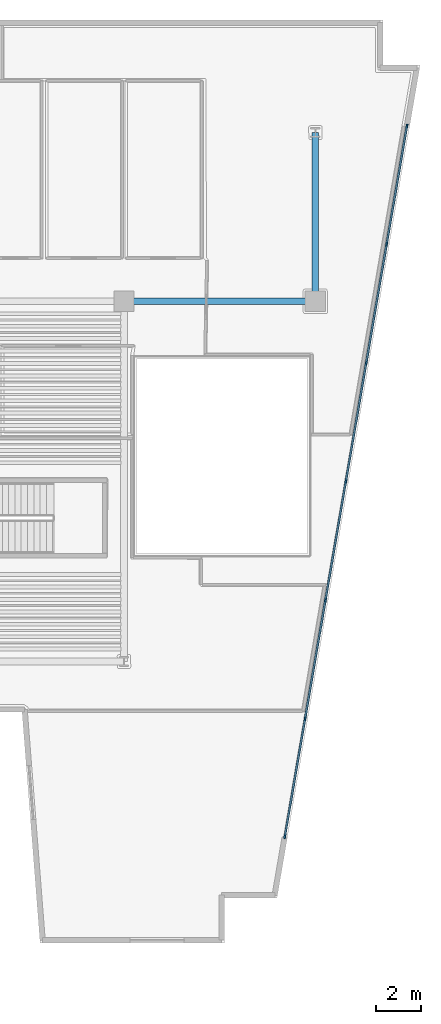
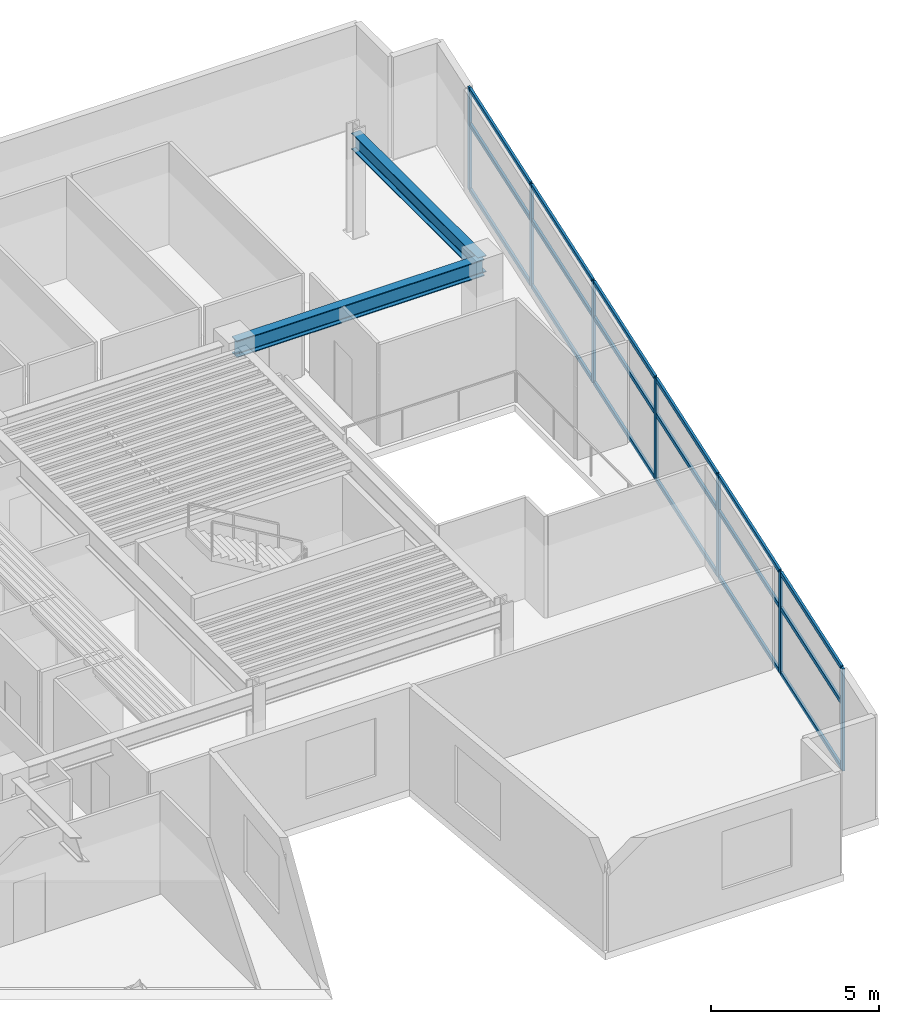
# One storey, part 2 of 9: 25 members, 2 beams, 1 element without a shape of its own.
"""IFC4 building model written with IfcOpenShell, lengths in metres."""

from ifc_helpers import new_model, si_unit, direction, frame, origin, origin_2d, place, context, subcontext, project, spatial, rectangle, i_section, extrude, material, layer, layer_set, material_profile, profile_set, type_object, element, aggregate, save


model = new_model("IFC4")

# Units and contexts
model_context = context("Model", 3, precision=1e-05, world=origin(), true_north=direction((0.0, 1.0)))
body_context = subcontext(model_context, "Body", "Model", "MODEL_VIEW")
ifc_project = project(units=[si_unit("LENGTHUNIT", "METRE"), si_unit("AREAUNIT", "SQUARE_METRE"), si_unit("VOLUMEUNIT", "CUBIC_METRE"), si_unit("PLANEANGLEUNIT", "RADIAN"), si_unit("MASSUNIT", "GRAM", prefix="KILO")], contexts=[model_context])

# Site, building, storey
site_placement = place(None, origin())
site = spatial("IfcSite", under=ifc_project, at=site_placement, CompositionType="ELEMENT")
building_placement = place(site_placement, origin())
building = spatial("IfcBuilding", under=site, at=building_placement, Name="Caeloran Harvest Quay", CompositionType="ELEMENT")
storey_placement = place(building_placement, frame((0.0, 0.0, 207.449951171875)))
storey = spatial("IfcBuildingStorey", under=building, at=storey_placement, Name="L49", CompositionType="ELEMENT", Elevation=207.449951171875)

# Beams
ifc_material_1 = material(Name="Steel S355J2", Category="steel")
ifc_material_profile_1 = material_profile(ifc_material_1, i_section(OverallWidth=0.300048828125, OverallDepth=0.60009765625, WebThickness=0.015380859375, FlangeThickness=0.030029296875, FilletRadius=0.027099609375, at=origin_2d()), Name="HE 600 B")
ifc_profile_set_1 = profile_set([ifc_material_profile_1], Name="Steel S355J2")
beam_type = type_object("IfcBeamType", Name="BM-PG-3-HE_600_B", PredefinedType="BEAM", material=ifc_profile_set_1)
beam_1_placement = place(storey_placement, frame((34.0, 31.0, 3.400146484375), z_axis=(1.0, 0.0, 0.0), x_axis=(0.0, 1.0, 0.0)))
element("IfcBeam", 1, at=beam_1_placement, inside=storey, type_object=beam_type, Name="L49 Primary East-West Girder Y=31.0", PredefinedType="BEAM", context=body_context, shape_type="SweptSolid", body=[
    extrude(i_section(OverallWidth=0.300048828125, OverallDepth=0.60009765625, WebThickness=0.015380859375, FlangeThickness=0.030029296875, FilletRadius=0.027099609375, at=origin_2d()), origin(), (0.0, 0.0, 1.0), 8.5),
])
beam_2_placement = place(storey_placement, frame((42.5, 31.0, 3.400146484375), z_axis=(0.0, 1.0, 0.0), x_axis=(-1.0, 0.0, 0.0)))
element("IfcBeam", 2, at=beam_2_placement, inside=storey, type_object=beam_type, Name="L49 Primary North-South Girder X=42.5", PredefinedType="BEAM", context=body_context, shape_type="SweptSolid", body=[
    extrude(i_section(OverallWidth=0.300048828125, OverallDepth=0.60009765625, WebThickness=0.015380859375, FlangeThickness=0.030029296875, FilletRadius=0.027099609375, at=origin_2d()), origin(), (0.0, 0.0, 1.0), 7.5),
])

# Curtain wall, members
ifc_material_2 = material(Name="Aluminium 6063-T6 and Low-E Glazing", Category="aluminium")
ifc_layer = layer(ifc_material_2, 0.2099609375, Name="Aluminium 6063-T6 and Low-E Glazing")
ifc_layer_set = layer_set([ifc_layer], Name="Aluminium 6063-T6 and Low-E Glazing")
curtain_wall_type = type_object("IfcCurtainWallType", Name="CW-SYS-CW-4", PredefinedType="USERDEFINED", material=ifc_layer_set)
curtain_wall_placement = place(storey_placement, origin())
curtain_wall = element("IfcCurtainWall", 3, at=curtain_wall_placement, inside=storey, type_object=curtain_wall_type, Name="L49 Unitised Curtain Wall CW-4 Run 9", ObjectType="CURTAIN_WALL", PredefinedType="USERDEFINED")
ifc_material_3 = material(Name="Aluminium 6063-T6", Category="aluminium")
ifc_material_profile_2 = material_profile(ifc_material_3, rectangle(XDim=0.080078125, YDim=0.179931640625, at=origin_2d()), Name="CW-MULLION-180")
ifc_profile_set_2 = profile_set([ifc_material_profile_2], Name="Aluminium 6063-T6")
member_type_1 = type_object("IfcMemberType", Name="CW-MULLION-180", PredefinedType="MULLION", material=ifc_profile_set_2)
member_1_placement = place(storey_placement, frame((46.566650390625, 38.778076171875, 0.0), z_axis=(0.0, 0.0, 1.0), x_axis=(0.985548890759, -0.169391215605, 0.0)))
member_1 = element("IfcMember", 4, at=member_1_placement, type_object=member_type_1, Name="CW-4 mullion 1", PredefinedType="MULLION", context=body_context, shape_type="SweptSolid", body=[
    extrude(rectangle(XDim=0.080078125, YDim=0.179931640625, at=origin_2d()), origin(), (0.0, 0.0, 1.0), 3.699951171875),
])
member_2_placement = place(storey_placement, frame((45.667236328125, 33.545166015625, 0.0), z_axis=(0.0, 0.0, 1.0), x_axis=(0.985548890759, -0.169391215605, 0.0)))
member_2 = element("IfcMember", 5, at=member_2_placement, type_object=member_type_1, Name="CW-4 mullion 2", PredefinedType="MULLION", context=body_context, shape_type="SweptSolid", body=[
    extrude(rectangle(XDim=0.080078125, YDim=0.179931640625, at=origin_2d()), origin(), (0.0, 0.0, 1.0), 3.699951171875),
])
member_3_placement = place(storey_placement, frame((44.760986328125, 28.2724609375, 0.0), z_axis=(0.0, 0.0, 1.0), x_axis=(0.985548890759, -0.169391215605, 0.0)))
member_3 = element("IfcMember", 6, at=member_3_placement, type_object=member_type_1, Name="CW-4 mullion 3", PredefinedType="MULLION", context=body_context, shape_type="SweptSolid", body=[
    extrude(rectangle(XDim=0.080078125, YDim=0.179931640625, at=origin_2d()), origin(), (0.0, 0.0, 1.0), 3.699951171875),
])
member_4_placement = place(storey_placement, frame((43.854736328125, 23.0, 0.0), z_axis=(0.0, 0.0, 1.0), x_axis=(0.985548890759, -0.169391215605, 0.0)))
member_4 = element("IfcMember", 7, at=member_4_placement, type_object=member_type_1, Name="CW-4 mullion 4", PredefinedType="MULLION", context=body_context, shape_type="SweptSolid", body=[
    extrude(rectangle(XDim=0.080078125, YDim=0.179931640625, at=origin_2d()), origin(), (0.0, 0.0, 1.0), 3.699951171875),
])
member_5_placement = place(storey_placement, frame((42.948486328125, 17.7275390625, 0.0), z_axis=(0.0, 0.0, 1.0), x_axis=(0.985548890759, -0.169391215605, 0.0)))
member_5 = element("IfcMember", 8, at=member_5_placement, type_object=member_type_1, Name="CW-4 mullion 5", PredefinedType="MULLION", context=body_context, shape_type="SweptSolid", body=[
    extrude(rectangle(XDim=0.080078125, YDim=0.179931640625, at=origin_2d()), origin(), (0.0, 0.0, 1.0), 3.699951171875),
])
member_6_placement = place(storey_placement, frame((42.042236328125, 12.454833984375, 0.0), z_axis=(0.0, 0.0, 1.0), x_axis=(0.985548890759, -0.169391215605, 0.0)))
member_6 = element("IfcMember", 9, at=member_6_placement, type_object=member_type_1, Name="CW-4 mullion 6", PredefinedType="MULLION", context=body_context, shape_type="SweptSolid", body=[
    extrude(rectangle(XDim=0.080078125, YDim=0.179931640625, at=origin_2d()), origin(), (0.0, 0.0, 1.0), 3.699951171875),
])
member_7_placement = place(storey_placement, frame((41.142822265625, 7.221923828125, 0.0), z_axis=(0.0, 0.0, 1.0), x_axis=(0.985548890759, -0.169391215605, 0.0)))
member_7 = element("IfcMember", 10, at=member_7_placement, type_object=member_type_1, Name="CW-4 mullion 7", PredefinedType="MULLION", context=body_context, shape_type="SweptSolid", body=[
    extrude(rectangle(XDim=0.080078125, YDim=0.179931640625, at=origin_2d()), origin(), (0.0, 0.0, 1.0), 3.699951171875),
])
ifc_material_profile_3 = material_profile(ifc_material_3, rectangle(XDim=0.080078125, YDim=0.14990234375, at=origin_2d()), Name="CW-TRANSOM-150")
ifc_profile_set_3 = profile_set([ifc_material_profile_3], Name="Aluminium 6063-T6")
member_type_2 = type_object("IfcMemberType", Name="CW-TRANSOM-150", PredefinedType="USERDEFINED", material=ifc_profile_set_3)
member_8_placement = place(storey_placement, frame((46.559814453125, 38.73876953125, 0.0400390625), z_axis=(-0.169362876348, -0.985553761149, 0.0), x_axis=(0.985553761149, -0.169362876348, 0.0)))
member_8 = element("IfcMember", 11, at=member_8_placement, type_object=member_type_2, Name="CW-4 transom 1.1", ObjectType="TRANSOM", PredefinedType="USERDEFINED", context=body_context, shape_type="SweptSolid", body=[
    extrude(rectangle(XDim=0.080078125, YDim=0.14990234375, at=origin_2d()), origin(), (0.0, 0.0, 1.0), 5.229736328125),
])
member_9_placement = place(storey_placement, frame((46.559814453125, 38.73876953125, 2.400146484375), z_axis=(-0.169362876348, -0.985553761149, 0.0), x_axis=(0.985553761149, -0.169362876348, 0.0)))
member_9 = element("IfcMember", 12, at=member_9_placement, type_object=member_type_2, Name="CW-4 transom 1.2", ObjectType="TRANSOM", PredefinedType="USERDEFINED", context=body_context, shape_type="SweptSolid", body=[
    extrude(rectangle(XDim=0.080078125, YDim=0.14990234375, at=origin_2d()), origin(), (0.0, 0.0, 1.0), 5.229736328125),
])
member_10_placement = place(storey_placement, frame((46.559814453125, 38.73876953125, 3.66015625), z_axis=(-0.169362876348, -0.985553761149, 0.0), x_axis=(0.985553761149, -0.169362876348, 0.0)))
member_10 = element("IfcMember", 13, at=member_10_placement, type_object=member_type_2, Name="CW-4 transom 1.3", ObjectType="TRANSOM", PredefinedType="USERDEFINED", context=body_context, shape_type="SweptSolid", body=[
    extrude(rectangle(XDim=0.080078125, YDim=0.14990234375, at=origin_2d()), origin(), (0.0, 0.0, 1.0), 5.229736328125),
])
member_11_placement = place(storey_placement, frame((45.660400390625, 33.505615234375, 0.0400390625), z_axis=(-0.169377856385, -0.985551186782, 0.0), x_axis=(0.985551186782, -0.169377856385, 0.0)))
member_11 = element("IfcMember", 14, at=member_11_placement, type_object=member_type_2, Name="CW-4 transom 2.1", ObjectType="TRANSOM", PredefinedType="USERDEFINED", context=body_context, shape_type="SweptSolid", body=[
    extrude(rectangle(XDim=0.080078125, YDim=0.14990234375, at=origin_2d()), origin(), (0.0, 0.0, 1.0), 5.269775390625),
])
member_12_placement = place(storey_placement, frame((45.660400390625, 33.505615234375, 2.400146484375), z_axis=(-0.169377856385, -0.985551186782, 0.0), x_axis=(0.985551186782, -0.169377856385, 0.0)))
member_12 = element("IfcMember", 15, at=member_12_placement, type_object=member_type_2, Name="CW-4 transom 2.2", ObjectType="TRANSOM", PredefinedType="USERDEFINED", context=body_context, shape_type="SweptSolid", body=[
    extrude(rectangle(XDim=0.080078125, YDim=0.14990234375, at=origin_2d()), origin(), (0.0, 0.0, 1.0), 5.269775390625),
])
member_13_placement = place(storey_placement, frame((45.660400390625, 33.505615234375, 3.66015625), z_axis=(-0.169377856385, -0.985551186782, 0.0), x_axis=(0.985551186782, -0.169377856385, 0.0)))
member_13 = element("IfcMember", 16, at=member_13_placement, type_object=member_type_2, Name="CW-4 transom 2.3", ObjectType="TRANSOM", PredefinedType="USERDEFINED", context=body_context, shape_type="SweptSolid", body=[
    extrude(rectangle(XDim=0.080078125, YDim=0.14990234375, at=origin_2d()), origin(), (0.0, 0.0, 1.0), 5.269775390625),
])
member_14_placement = place(storey_placement, frame((44.754150390625, 28.233154296875, 0.0400390625), z_axis=(-0.169370123052, -0.985552515809, 0.0), x_axis=(0.985552515809, -0.169370123052, 0.0)))
member_14 = element("IfcMember", 17, at=member_14_placement, type_object=member_type_2, Name="CW-4 transom 3.1", ObjectType="TRANSOM", PredefinedType="USERDEFINED", context=body_context, shape_type="SweptSolid", body=[
    extrude(rectangle(XDim=0.080078125, YDim=0.14990234375, at=origin_2d()), origin(), (0.0, 0.0, 1.0), 5.27001953125),
])
member_15_placement = place(storey_placement, frame((44.754150390625, 28.233154296875, 2.400146484375), z_axis=(-0.169370123052, -0.985552515809, 0.0), x_axis=(0.985552515809, -0.169370123052, 0.0)))
member_15 = element("IfcMember", 18, at=member_15_placement, type_object=member_type_2, Name="CW-4 transom 3.2", ObjectType="TRANSOM", PredefinedType="USERDEFINED", context=body_context, shape_type="SweptSolid", body=[
    extrude(rectangle(XDim=0.080078125, YDim=0.14990234375, at=origin_2d()), origin(), (0.0, 0.0, 1.0), 5.27001953125),
])
member_16_placement = place(storey_placement, frame((44.754150390625, 28.233154296875, 3.66015625), z_axis=(-0.169370123052, -0.985552515809, 0.0), x_axis=(0.985552515809, -0.169370123052, 0.0)))
member_16 = element("IfcMember", 19, at=member_16_placement, type_object=member_type_2, Name="CW-4 transom 3.3", ObjectType="TRANSOM", PredefinedType="USERDEFINED", context=body_context, shape_type="SweptSolid", body=[
    extrude(rectangle(XDim=0.080078125, YDim=0.14990234375, at=origin_2d()), origin(), (0.0, 0.0, 1.0), 5.27001953125),
])
member_17_placement = place(storey_placement, frame((43.847900390625, 22.960693359375, 0.0400390625), z_axis=(-0.169370123052, -0.985552515809, 0.0), x_axis=(0.985552515809, -0.169370123052, 0.0)))
member_17 = element("IfcMember", 20, at=member_17_placement, type_object=member_type_2, Name="CW-4 transom 4.1", ObjectType="TRANSOM", PredefinedType="USERDEFINED", context=body_context, shape_type="SweptSolid", body=[
    extrude(rectangle(XDim=0.080078125, YDim=0.14990234375, at=origin_2d()), origin(), (0.0, 0.0, 1.0), 5.27001953125),
])
member_18_placement = place(storey_placement, frame((43.847900390625, 22.960693359375, 2.400146484375), z_axis=(-0.169370123052, -0.985552515809, 0.0), x_axis=(0.985552515809, -0.169370123052, 0.0)))
member_18 = element("IfcMember", 21, at=member_18_placement, type_object=member_type_2, Name="CW-4 transom 4.2", ObjectType="TRANSOM", PredefinedType="USERDEFINED", context=body_context, shape_type="SweptSolid", body=[
    extrude(rectangle(XDim=0.080078125, YDim=0.14990234375, at=origin_2d()), origin(), (0.0, 0.0, 1.0), 5.27001953125),
])
member_19_placement = place(storey_placement, frame((43.847900390625, 22.960693359375, 3.66015625), z_axis=(-0.169370123052, -0.985552515809, 0.0), x_axis=(0.985552515809, -0.169370123052, 0.0)))
member_19 = element("IfcMember", 22, at=member_19_placement, type_object=member_type_2, Name="CW-4 transom 4.3", ObjectType="TRANSOM", PredefinedType="USERDEFINED", context=body_context, shape_type="SweptSolid", body=[
    extrude(rectangle(XDim=0.080078125, YDim=0.14990234375, at=origin_2d()), origin(), (0.0, 0.0, 1.0), 5.27001953125),
])
member_20_placement = place(storey_placement, frame((42.941650390625, 17.68798828125, 0.0400390625), z_axis=(-0.169377856385, -0.985551186782, 0.0), x_axis=(0.985551186782, -0.169377856385, 0.0)))
member_20 = element("IfcMember", 23, at=member_20_placement, type_object=member_type_2, Name="CW-4 transom 5.1", ObjectType="TRANSOM", PredefinedType="USERDEFINED", context=body_context, shape_type="SweptSolid", body=[
    extrude(rectangle(XDim=0.080078125, YDim=0.14990234375, at=origin_2d()), origin(), (0.0, 0.0, 1.0), 5.269775390625),
])
member_21_placement = place(storey_placement, frame((42.941650390625, 17.68798828125, 2.400146484375), z_axis=(-0.169377856385, -0.985551186782, 0.0), x_axis=(0.985551186782, -0.169377856385, 0.0)))
member_21 = element("IfcMember", 24, at=member_21_placement, type_object=member_type_2, Name="CW-4 transom 5.2", ObjectType="TRANSOM", PredefinedType="USERDEFINED", context=body_context, shape_type="SweptSolid", body=[
    extrude(rectangle(XDim=0.080078125, YDim=0.14990234375, at=origin_2d()), origin(), (0.0, 0.0, 1.0), 5.269775390625),
])
member_22_placement = place(storey_placement, frame((42.941650390625, 17.68798828125, 3.66015625), z_axis=(-0.169377856385, -0.985551186782, 0.0), x_axis=(0.985551186782, -0.169377856385, 0.0)))
member_22 = element("IfcMember", 25, at=member_22_placement, type_object=member_type_2, Name="CW-4 transom 5.3", ObjectType="TRANSOM", PredefinedType="USERDEFINED", context=body_context, shape_type="SweptSolid", body=[
    extrude(rectangle(XDim=0.080078125, YDim=0.14990234375, at=origin_2d()), origin(), (0.0, 0.0, 1.0), 5.269775390625),
])
member_23_placement = place(storey_placement, frame((42.03564453125, 12.41552734375, 0.0400390625), z_axis=(-0.169408218949, -0.985545968158, 0.0), x_axis=(0.985545968158, -0.169408218949, 0.0)))
member_23 = element("IfcMember", 26, at=member_23_placement, type_object=member_type_2, Name="CW-4 transom 6.1", ObjectType="TRANSOM", PredefinedType="USERDEFINED", context=body_context, shape_type="SweptSolid", body=[
    extrude(rectangle(XDim=0.080078125, YDim=0.14990234375, at=origin_2d()), origin(), (0.0, 0.0, 1.0), 5.22998046875),
])
member_24_placement = place(storey_placement, frame((42.03564453125, 12.41552734375, 2.400146484375), z_axis=(-0.169408218949, -0.985545968158, 0.0), x_axis=(0.985545968158, -0.169408218949, 0.0)))
member_24 = element("IfcMember", 27, at=member_24_placement, type_object=member_type_2, Name="CW-4 transom 6.2", ObjectType="TRANSOM", PredefinedType="USERDEFINED", context=body_context, shape_type="SweptSolid", body=[
    extrude(rectangle(XDim=0.080078125, YDim=0.14990234375, at=origin_2d()), origin(), (0.0, 0.0, 1.0), 5.22998046875),
])
member_25_placement = place(storey_placement, frame((42.03564453125, 12.41552734375, 3.66015625), z_axis=(-0.169408218949, -0.985545968158, 0.0), x_axis=(0.985545968158, -0.169408218949, 0.0)))
member_25 = element("IfcMember", 28, at=member_25_placement, type_object=member_type_2, Name="CW-4 transom 6.3", ObjectType="TRANSOM", PredefinedType="USERDEFINED", context=body_context, shape_type="SweptSolid", body=[
    extrude(rectangle(XDim=0.080078125, YDim=0.14990234375, at=origin_2d()), origin(), (0.0, 0.0, 1.0), 5.22998046875),
])
aggregate(curtain_wall, [member_1, member_2, member_3, member_4, member_5, member_6, member_7, member_8, member_9, member_10, member_11, member_12, member_13, member_14, member_15, member_16, member_17, member_18, member_19, member_20, member_21, member_22, member_23, member_24, member_25])

save(model, "model.ifc")
